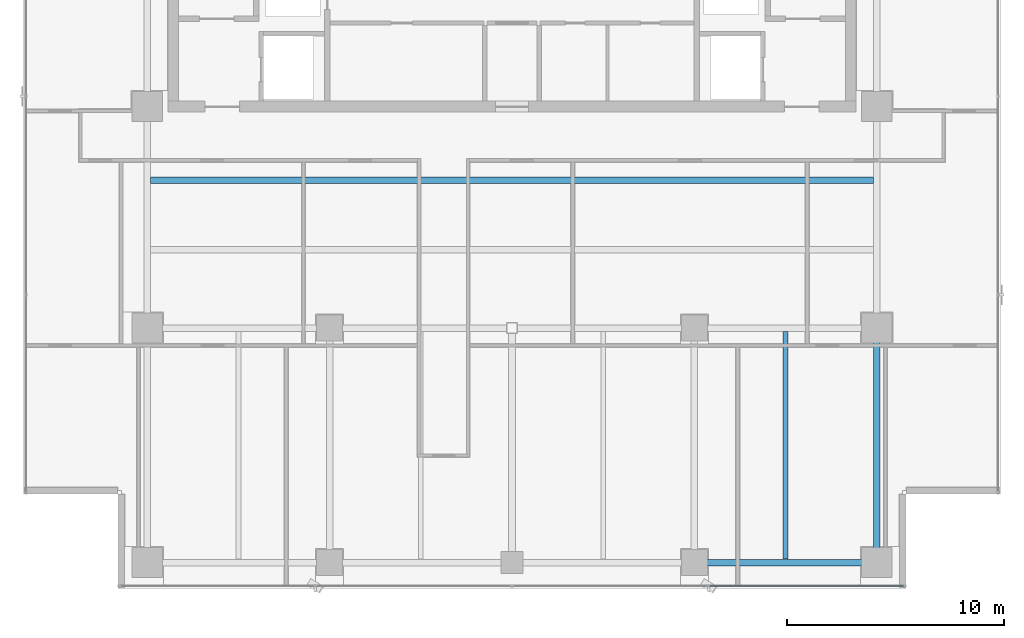
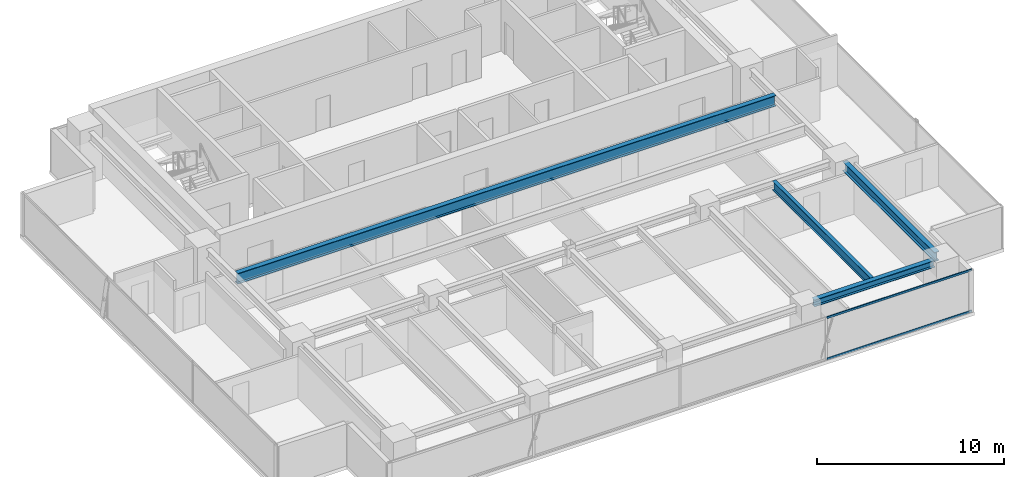
# One storey, part 10 of 26: 4 beams, 2 members, 1 element without a shape of its own.
"""IFC4 building model written with IfcOpenShell, lengths in metres."""

from ifc_helpers import new_model, si_unit, direction, frame, origin, origin_2d, place, context, subcontext, project, spatial, hollow_rectangle, i_section, extrude, source, transform, mapped, material, layer, layer_set, material_profile, profile_set, type_object, element, aggregate, save


model = new_model("IFC4")

# Units and contexts
model_context = context("Model", 3, precision=1e-05, world=origin(), true_north=direction((0.0, 1.0)))
body_context = subcontext(model_context, "Body", "Model", "MODEL_VIEW")
ifc_project = project(units=[si_unit("LENGTHUNIT", "METRE"), si_unit("AREAUNIT", "SQUARE_METRE"), si_unit("VOLUMEUNIT", "CUBIC_METRE"), si_unit("PLANEANGLEUNIT", "RADIAN"), si_unit("MASSUNIT", "GRAM", prefix="KILO")], contexts=[model_context])

# Site, building, storey
site_placement = place(None, origin())
site = spatial("IfcSite", under=ifc_project, at=site_placement, CompositionType="ELEMENT")
building_placement = place(site_placement, origin())
building = spatial("IfcBuilding", under=site, at=building_placement, Name="Sumidabori Civic Tower", CompositionType="ELEMENT")
storey_placement = place(building_placement, frame((0.0, 0.0, 243.199951171875)))
storey = spatial("IfcBuildingStorey", under=building, at=storey_placement, Name="L63", CompositionType="ELEMENT", Elevation=243.199951171875)

# Beams
ifc_material_1 = material(Name="Steel SN490", Category="steel")
ifc_material_profile_1 = material_profile(ifc_material_1, i_section(OverallWidth=0.300048828125, OverallDepth=0.60009765625, WebThickness=0.015380859375, FlangeThickness=0.030029296875, at=origin_2d()), Name="HE 600 B")
ifc_profile_set_1 = profile_set([ifc_material_profile_1], Name="Steel SN490")
beam_type_1 = type_object("IfcBeamType", Name="BM-GIRD-600", PredefinedType="BEAM", material=ifc_profile_set_1)
shared_shape_1 = source(origin(), body_context, "Body", "SweptSolid", [
    extrude(i_section(OverallWidth=0.300048828125, OverallDepth=0.60009765625, WebThickness=0.015380859375, FlangeThickness=0.030029296875, at=origin_2d()), origin(), (0.0, 0.0, 1.0), 9.840087890625),
])
beam_1_placement = place(storey_placement, frame((16.800048828125, -10.320068359375, 3.070068359375), z_axis=(0.0, 1.0, 0.0), x_axis=(-1.0, 0.0, 0.0)))
element("IfcBeam", 1, at=beam_1_placement, inside=storey, type_object=beam_type_1, Name="Primary Girder L63 GY-15", PredefinedType="BEAM", context=body_context, shape_type="MappedRepresentation", body=[
    mapped(shared_shape_1, transform((0.0, 0.0, 0.0), x_axis=(1.0, 0.0, 0.0), y_axis=(0.0, 1.0, 0.0), z_axis=(0.0, 0.0, 1.0), scale=1.0)),
])
ifc_material_profile_2 = material_profile(ifc_material_1, i_section(OverallWidth=0.300048828125, OverallDepth=0.699951171875, WebThickness=0.01708984375, FlangeThickness=0.031982421875, at=origin_2d()), Name="HE 700 B")
ifc_profile_set_2 = profile_set([ifc_material_profile_2], Name="Steel SN490")
beam_type_2 = type_object("IfcBeamType", Name="BM-GIRD-700", PredefinedType="BEAM", material=ifc_profile_set_2)
shared_shape_2 = source(origin(), body_context, "Body", "SweptSolid", [
    extrude(i_section(OverallWidth=0.300048828125, OverallDepth=0.699951171875, WebThickness=0.01708984375, FlangeThickness=0.031982421875, at=origin_2d()), origin(), (0.0, 0.0, 1.0), 33.2998046875),
])
beam_2_placement = place(storey_placement, frame((-16.64990234375, 6.800048828125, 3.02001953125), z_axis=(1.0, 0.0, 0.0), x_axis=(0.0, 1.0, 0.0)))
element("IfcBeam", 2, at=beam_2_placement, inside=storey, type_object=beam_type_2, Name="North Bay Floor Beam L63 JSTN-19", PredefinedType="BEAM", context=body_context, shape_type="MappedRepresentation", body=[
    mapped(shared_shape_2, transform((0.0, 0.0, 0.0), x_axis=(1.0, 0.0, 0.0), y_axis=(0.0, 1.0, 0.0), z_axis=(0.0, 0.0, 1.0), scale=1.0)),
])
ifc_material_profile_3 = material_profile(ifc_material_1, i_section(OverallWidth=0.300048828125, OverallDepth=0.449951171875, WebThickness=0.013916015625, FlangeThickness=0.02587890625, at=origin_2d()), Name="HE 450 B")
ifc_profile_set_3 = profile_set([ifc_material_profile_3], Name="Steel SN490")
beam_type_3 = type_object("IfcBeamType", Name="BM-GIRD-450", PredefinedType="BEAM", material=ifc_profile_set_3)
shared_shape_3 = source(origin(), body_context, "Body", "SweptSolid", [
    extrude(i_section(OverallWidth=0.300048828125, OverallDepth=0.449951171875, WebThickness=0.013916015625, FlangeThickness=0.02587890625, at=origin_2d()), origin(), (0.0, 0.0, 1.0), 7.440185546875),
])
beam_3_placement = place(storey_placement, frame((8.8798828125, -10.800048828125, 3.14501953125), z_axis=(1.0, 0.0, 0.0), x_axis=(0.0, 1.0, 0.0)))
element("IfcBeam", 3, at=beam_3_placement, inside=storey, type_object=beam_type_3, Name="Primary Girder L63 GX-04", PredefinedType="BEAM", context=body_context, shape_type="MappedRepresentation", body=[
    mapped(shared_shape_3, transform((0.0, 0.0, 0.0), x_axis=(1.0, 0.0, 0.0), y_axis=(0.0, 1.0, 0.0), z_axis=(0.0, 0.0, 1.0), scale=1.0)),
])
ifc_material_profile_4 = material_profile(ifc_material_1, i_section(OverallWidth=0.219970703125, OverallDepth=0.60009765625, WebThickness=0.011962890625, FlangeThickness=0.01904296875, at=origin_2d()), Name="IPE 600")
ifc_profile_set_4 = profile_set([ifc_material_profile_4], Name="Steel SN490")
beam_type_4 = type_object("IfcBeamType", Name="BM-JST-600", PredefinedType="JOIST", material=ifc_profile_set_4)
shared_shape_4 = source(origin(), body_context, "Body", "SweptSolid", [
    extrude(i_section(OverallWidth=0.219970703125, OverallDepth=0.60009765625, WebThickness=0.011962890625, FlangeThickness=0.01904296875, at=origin_2d()), origin(), (0.0, 0.0, 1.0), 10.5),
])
beam_4_placement = place(storey_placement, frame((12.60009765625, -10.64990234375, 3.070068359375), z_axis=(0.0, 1.0, 0.0), x_axis=(-1.0, 0.0, 0.0)))
element("IfcBeam", 4, at=beam_4_placement, inside=storey, type_object=beam_type_4, Name="Upper Lens N-S Floor Joist L63 JSTV-23", PredefinedType="JOIST", context=body_context, shape_type="MappedRepresentation", body=[
    mapped(shared_shape_4, transform((0.0, 0.0, 0.0), x_axis=(1.0, 0.0, 0.0), y_axis=(0.0, 1.0, 0.0), z_axis=(0.0, 0.0, 1.0), scale=1.0)),
])

# Curtain wall, members
ifc_material_2 = material(Name="Anodised Bronze Aluminium AW-6063-T6", Category="aluminium")
ifc_layer = layer(ifc_material_2, 0.179931640625, Name="Anodised Bronze Aluminium AW-6063-T6")
ifc_layer_set = layer_set([ifc_layer], Name="Anodised Bronze Aluminium AW-6063-T6")
curtain_wall_type = type_object("IfcCurtainWallType", Name="CW-SYS-5", PredefinedType="NOTDEFINED", material=ifc_layer_set)
curtain_wall_placement = place(storey_placement, origin())
curtain_wall = element("IfcCurtainWall", 5, at=curtain_wall_placement, inside=storey, type_object=curtain_wall_type, Name="Curtain Wall CW:L63:R01", PredefinedType="NOTDEFINED")
ifc_material_profile_5 = material_profile(ifc_material_2, hollow_rectangle(XDim=0.06005859375, YDim=0.1298828125, WallThickness=0.0048828125, at=origin_2d()), Name="ALU TRANSOM 130x60")
ifc_profile_set_5 = profile_set([ifc_material_profile_5], Name="Anodised Bronze Aluminium AW-6063-T6")
member_type = type_object("IfcMemberType", Name="CW-TRN-130", PredefinedType="USERDEFINED", material=ifc_profile_set_5)
shared_shape_5 = source(origin(), body_context, "Body", "SweptSolid", [
    extrude(hollow_rectangle(XDim=0.06005859375, YDim=0.1298828125, WallThickness=0.0048828125, at=origin_2d()), origin(), (0.0, 0.0, 1.0), 8.969970703125),
])
member_1_placement = place(storey_placement, frame((9.090087890625, -11.8798828125, 0.030029296875), z_axis=(1.0, 0.0, 0.0), x_axis=(0.0, 1.0, 0.0)))
member_1 = element("IfcMember", 6, at=member_1_placement, type_object=member_type, Name="CW-5 transom 4.1", ObjectType="TRANSOM", PredefinedType="USERDEFINED", context=body_context, shape_type="MappedRepresentation", body=[
    mapped(shared_shape_5, transform((0.0, 0.0, 0.0), x_axis=(1.0, 0.0, 0.0), y_axis=(0.0, 1.0, 0.0), z_axis=(0.0, 0.0, 1.0), scale=1.0)),
])
member_2_placement = place(storey_placement, frame((9.090087890625, -11.8798828125, 2.719970703125), z_axis=(1.0, 0.0, 0.0), x_axis=(0.0, 1.0, 0.0)))
member_2 = element("IfcMember", 7, at=member_2_placement, type_object=member_type, Name="CW-5 transom 4.2", ObjectType="TRANSOM", PredefinedType="USERDEFINED", context=body_context, shape_type="MappedRepresentation", body=[
    mapped(shared_shape_5, transform((0.0, 0.0, 0.0), x_axis=(1.0, 0.0, 0.0), y_axis=(0.0, 1.0, 0.0), z_axis=(0.0, 0.0, 1.0), scale=1.0)),
])
aggregate(curtain_wall, [member_1, member_2])

save(model, "model.ifc")
